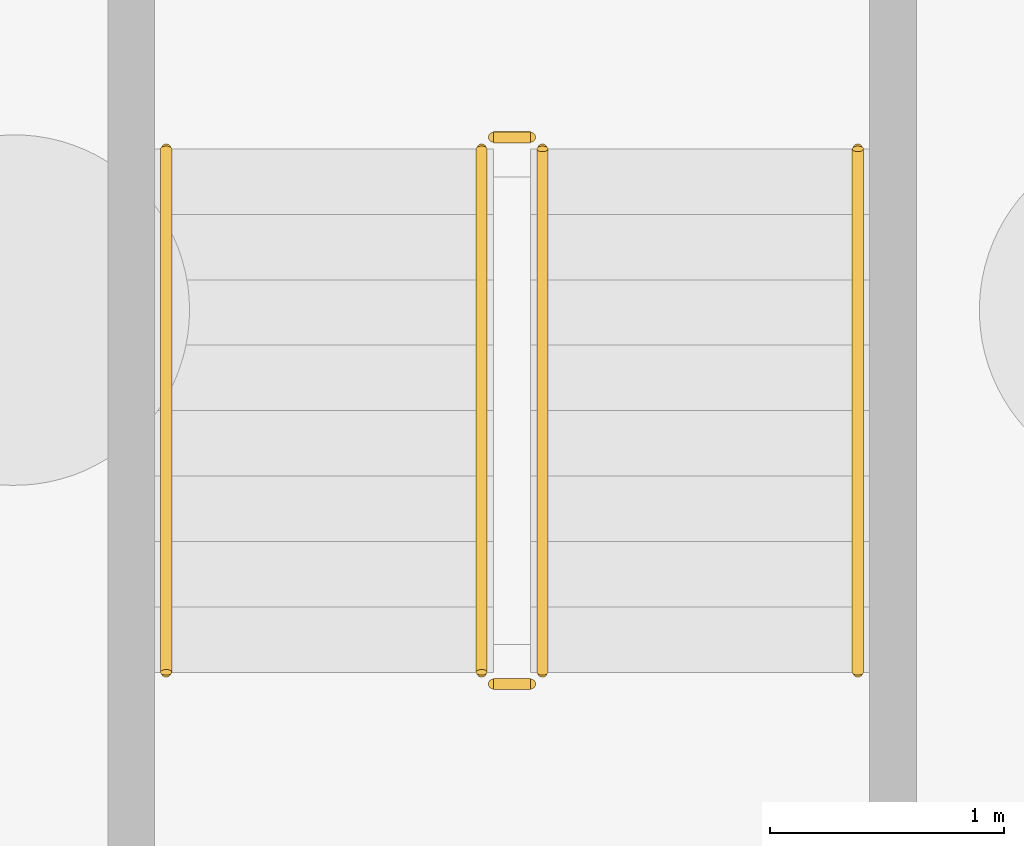
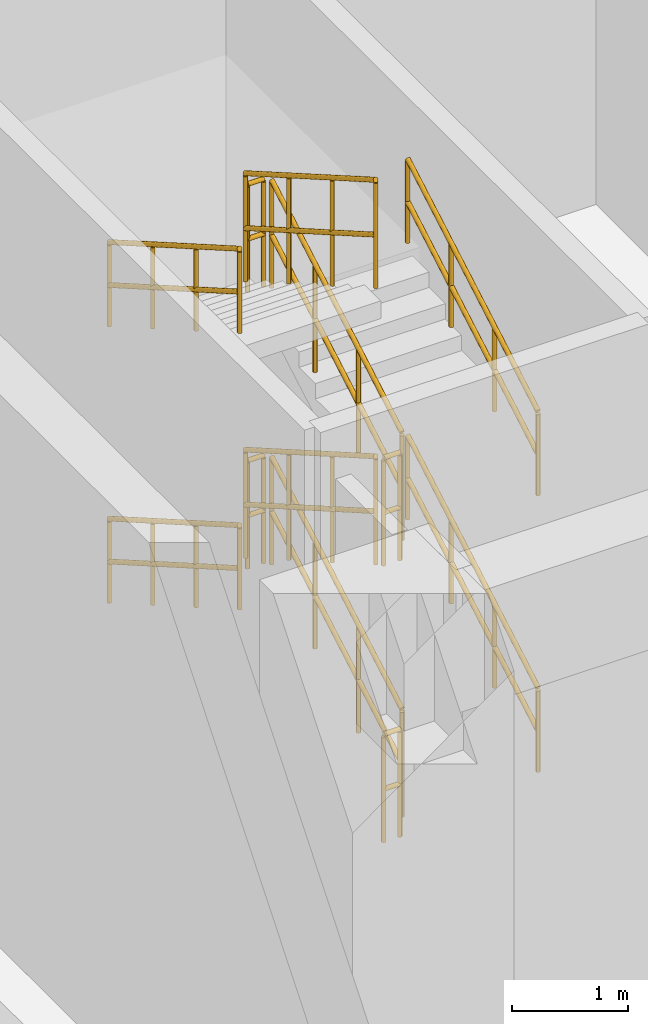
# One storey, part 13 of 15: 12 railings.
"""IFC4 building model written with IfcOpenShell, lengths in metres."""

from ifc_helpers import new_model, si_unit, direction, frame, origin, origin_2d, place, context, subcontext, project, spatial, circle, extrude, material, type_object, element, save


model = new_model("IFC4")

# Units and contexts
model_context = context("Model", 3, precision=1e-05, world=origin(), true_north=direction((0.0, 1.0)))
body_context = subcontext(model_context, "Body", "Model", "MODEL_VIEW")
ifc_project = project(units=[si_unit("LENGTHUNIT", "METRE"), si_unit("AREAUNIT", "SQUARE_METRE"), si_unit("VOLUMEUNIT", "CUBIC_METRE"), si_unit("PLANEANGLEUNIT", "RADIAN"), si_unit("MASSUNIT", "GRAM", prefix="KILO")], contexts=[model_context])

# Site, building, storey
site_placement = place(None, origin())
site = spatial("IfcSite", under=ifc_project, at=site_placement, CompositionType="ELEMENT")
building_placement = place(site_placement, origin())
building = spatial("IfcBuilding", under=site, at=building_placement, Name="Talar Marvaseh", CompositionType="ELEMENT")
storey_placement = place(building_placement, frame((0.0, 0.0, -11.60009765625)))
storey = spatial("IfcBuildingStorey", under=building, at=storey_placement, Name="B02", CompositionType="ELEMENT", Elevation=-11.60009765625)

# Railings
ifc_material = material(Name="Stainless Steel Grade 316", Category="steel")
railing_type_1 = type_object("IfcRailingType", Name="Brushed Stainless Wall Pitch Handrail 900", PredefinedType="HANDRAIL", material=ifc_material)
railing_1_placement = place(storey_placement, frame((5.2099609375, 40.25, 0.1611328125)))
element("IfcRailing", 1, at=railing_1_placement, inside=storey, type_object=railing_type_1, Name="B02 STN-ST1 stair handrail 1", PredefinedType="HANDRAIL", context=body_context, shape_type="SweptSolid", body=[
    extrude(circle(Radius=0.02392578125, at=origin_2d()), frame((0.0, 0.0, 0.8759765625), z_axis=(0.0, 0.866727653441, 0.498781690482), x_axis=(-1.0, 0.0, 0.0)), (0.0, 0.0, 1.0), 2.58447265625),
    extrude(circle(Radius=0.02392578125, at=origin_2d()), frame((0.0, 0.0, 0.42578125), z_axis=(0.0, 0.866727653441, 0.498781690482), x_axis=(-1.0, 0.0, 0.0)), (0.0, 0.0, 1.0), 2.58447265625),
    extrude(circle(Radius=0.02099609375, at=origin_2d()), origin(), (0.0, 0.0, 1.0), 0.851806640625),
    extrude(circle(Radius=0.02099609375, at=origin_2d()), frame((0.0, 0.74658203125, 0.4296875)), (0.0, 0.0, 1.0), 0.851806640625),
    extrude(circle(Radius=0.02099609375, at=origin_2d()), frame((0.0, 1.493408203125, 0.859375)), (0.0, 0.0, 1.0), 0.851806640625),
    extrude(circle(Radius=0.02099609375, at=origin_2d()), frame((0.0, 2.239990234375, 1.2890625)), (0.0, 0.0, 1.0), 0.851806640625),
])
railing_2_placement = place(storey_placement, frame((2.25, 42.489990234375, 1.611328125)))
element("IfcRailing", 2, at=railing_2_placement, inside=storey, type_object=railing_type_1, Name="B02 STN-ST1 stair handrail 2", PredefinedType="HANDRAIL", context=body_context, shape_type="SweptSolid", body=[
    extrude(circle(Radius=0.02392578125, at=origin_2d()), frame((0.0, 0.0, 0.8759765625), z_axis=(0.0, -0.866768490956, 0.498710720845), x_axis=(1.0, 0.0, 0.0)), (0.0, 0.0, 1.0), 2.584228515625),
    extrude(circle(Radius=0.02392578125, at=origin_2d()), frame((0.0, 0.0, 0.42578125), z_axis=(0.0, -0.866768490956, 0.498710720845), x_axis=(1.0, 0.0, 0.0)), (0.0, 0.0, 1.0), 2.584228515625),
    extrude(circle(Radius=0.02099609375, at=origin_2d()), origin(), (0.0, 0.0, 1.0), 0.851806640625),
    extrude(circle(Radius=0.02099609375, at=origin_2d()), frame((0.0, -0.74658203125, 0.4296875)), (0.0, 0.0, 1.0), 0.851806640625),
    extrude(circle(Radius=0.02099609375, at=origin_2d()), frame((0.0, -1.493408203125, 0.859130859375)), (0.0, 0.0, 1.0), 0.851806640625),
    extrude(circle(Radius=0.02099609375, at=origin_2d()), frame((0.0, -2.239990234375, 1.288818359375)), (0.0, 0.0, 1.0), 0.851806640625),
])
railing_3_placement = place(storey_placement, frame((5.2099609375, 40.25, 3.061279296875)))
element("IfcRailing", 3, at=railing_3_placement, inside=storey, type_object=railing_type_1, Name="B02 STN-ST1 stair handrail 3", PredefinedType="HANDRAIL", context=body_context, shape_type="SweptSolid", body=[
    extrude(circle(Radius=0.02392578125, at=origin_2d()), frame((0.0, 0.0, 0.8759765625), z_axis=(0.0, 0.866768490956, 0.498710720845), x_axis=(-1.0, 0.0, 0.0)), (0.0, 0.0, 1.0), 2.584228515625),
    extrude(circle(Radius=0.02392578125, at=origin_2d()), frame((0.0, 0.0, 0.42578125), z_axis=(0.0, 0.866768490956, 0.498710720845), x_axis=(-1.0, 0.0, 0.0)), (0.0, 0.0, 1.0), 2.584228515625),
    extrude(circle(Radius=0.02099609375, at=origin_2d()), origin(), (0.0, 0.0, 1.0), 0.851806640625),
    extrude(circle(Radius=0.02099609375, at=origin_2d()), frame((0.0, 0.74658203125, 0.4296875)), (0.0, 0.0, 1.0), 0.851806640625),
    extrude(circle(Radius=0.02099609375, at=origin_2d()), frame((0.0, 1.493408203125, 0.859130859375)), (0.0, 0.0, 1.0), 0.851806640625),
    extrude(circle(Radius=0.02099609375, at=origin_2d()), frame((0.0, 2.239990234375, 1.288818359375)), (0.0, 0.0, 1.0), 0.851806640625),
])
railing_4_placement = place(storey_placement, frame((2.25, 42.489990234375, 4.51123046875)))
element("IfcRailing", 4, at=railing_4_placement, inside=storey, type_object=railing_type_1, Name="B02 STN-ST1 stair handrail 4", PredefinedType="HANDRAIL", context=body_context, shape_type="SweptSolid", body=[
    extrude(circle(Radius=0.02392578125, at=origin_2d()), frame((0.0, 0.0, 0.8759765625), z_axis=(0.0, -0.866768490956, 0.498710720845), x_axis=(1.0, 0.0, 0.0)), (0.0, 0.0, 1.0), 2.584228515625),
    extrude(circle(Radius=0.02392578125, at=origin_2d()), frame((0.0, 0.0, 0.42578125), z_axis=(0.0, -0.866768490956, 0.498710720845), x_axis=(1.0, 0.0, 0.0)), (0.0, 0.0, 1.0), 2.584228515625),
    extrude(circle(Radius=0.02099609375, at=origin_2d()), origin(), (0.0, 0.0, 1.0), 0.851806640625),
    extrude(circle(Radius=0.02099609375, at=origin_2d()), frame((0.0, -0.74658203125, 0.4296875)), (0.0, 0.0, 1.0), 0.851806640625),
    extrude(circle(Radius=0.02099609375, at=origin_2d()), frame((0.0, -1.493408203125, 0.859130859375)), (0.0, 0.0, 1.0), 0.851806640625),
    extrude(circle(Radius=0.02099609375, at=origin_2d()), frame((0.0, -2.239990234375, 1.288818359375)), (0.0, 0.0, 1.0), 0.851806640625),
])
railing_type_2 = type_object("IfcRailingType", Name="Painted Steel Core Stair Well Guardrail 1150", PredefinedType="GUARDRAIL", material=ifc_material)
railing_5_placement = place(storey_placement, frame((3.860107421875, 40.25, 0.1611328125)))
element("IfcRailing", 5, at=railing_5_placement, inside=storey, type_object=railing_type_2, Name="B02 STN-ST1 stair guard 1", PredefinedType="GUARDRAIL", context=body_context, shape_type="SweptSolid", body=[
    extrude(circle(Radius=0.02392578125, at=origin_2d()), frame((0.0, 0.0, 1.1259765625), z_axis=(0.0, 0.866727653441, 0.498781690482), x_axis=(-1.0, 0.0, 0.0)), (0.0, 0.0, 1.0), 2.58447265625),
    extrude(circle(Radius=0.02392578125, at=origin_2d()), frame((0.0, 0.0, 0.55078125), z_axis=(0.0, 0.866727653441, 0.498781690482), x_axis=(-1.0, 0.0, 0.0)), (0.0, 0.0, 1.0), 2.58447265625),
    extrude(circle(Radius=0.02099609375, at=origin_2d()), origin(), (0.0, 0.0, 1.0), 1.101806640625),
    extrude(circle(Radius=0.02099609375, at=origin_2d()), frame((0.0, 0.74658203125, 0.4296875)), (0.0, 0.0, 1.0), 1.101806640625),
    extrude(circle(Radius=0.02099609375, at=origin_2d()), frame((0.0, 1.493408203125, 0.859375)), (0.0, 0.0, 1.0), 1.101806640625),
    extrude(circle(Radius=0.02099609375, at=origin_2d()), frame((0.0, 2.239990234375, 1.2890625)), (0.0, 0.0, 1.0), 1.101806640625),
])
railing_6_placement = place(storey_placement, frame((3.81005859375, 42.5400390625, 1.4501953125)))
element("IfcRailing", 6, at=railing_6_placement, inside=storey, type_object=railing_type_2, Name="B02 STN-ST1 stair guard 2", PredefinedType="GUARDRAIL", context=body_context, shape_type="SweptSolid", body=[
    extrude(circle(Radius=0.02392578125, at=origin_2d()), frame((0.0, 0.0, 1.1259765625), z_axis=(-1.0, 0.0, 0.0), x_axis=(0.0, -1.0, 0.0)), (0.0, 0.0, 1.0), 0.16015625),
    extrude(circle(Radius=0.02392578125, at=origin_2d()), frame((0.0, 0.0, 0.55078125), z_axis=(-1.0, 0.0, 0.0), x_axis=(0.0, -1.0, 0.0)), (0.0, 0.0, 1.0), 0.16015625),
    extrude(circle(Radius=0.02099609375, at=origin_2d()), origin(), (0.0, 0.0, 1.0), 1.101806640625),
    extrude(circle(Radius=0.02099609375, at=origin_2d()), frame((-0.16015625, 0.0, 0.0)), (0.0, 0.0, 1.0), 1.101806640625),
])
railing_7_placement = place(storey_placement, frame((3.60009765625, 42.489990234375, 1.611328125)))
element("IfcRailing", 7, at=railing_7_placement, inside=storey, type_object=railing_type_2, Name="B02 STN-ST1 stair guard 3", PredefinedType="GUARDRAIL", context=body_context, shape_type="SweptSolid", body=[
    extrude(circle(Radius=0.02392578125, at=origin_2d()), frame((0.0, 0.0, 1.1259765625), z_axis=(0.0, -0.866768490956, 0.498710720845), x_axis=(1.0, 0.0, 0.0)), (0.0, 0.0, 1.0), 2.584228515625),
    extrude(circle(Radius=0.02392578125, at=origin_2d()), frame((0.0, 0.0, 0.55078125), z_axis=(0.0, -0.866768490956, 0.498710720845), x_axis=(1.0, 0.0, 0.0)), (0.0, 0.0, 1.0), 2.584228515625),
    extrude(circle(Radius=0.02099609375, at=origin_2d()), origin(), (0.0, 0.0, 1.0), 1.101806640625),
    extrude(circle(Radius=0.02099609375, at=origin_2d()), frame((0.0, -0.74658203125, 0.4296875)), (0.0, 0.0, 1.0), 1.101806640625),
    extrude(circle(Radius=0.02099609375, at=origin_2d()), frame((0.0, -1.493408203125, 0.859130859375)), (0.0, 0.0, 1.0), 1.101806640625),
    extrude(circle(Radius=0.02099609375, at=origin_2d()), frame((0.0, -2.239990234375, 1.288818359375)), (0.0, 0.0, 1.0), 1.101806640625),
])
railing_8_placement = place(storey_placement, frame((3.81005859375, 40.199951171875, 2.900146484375)))
element("IfcRailing", 8, at=railing_8_placement, inside=storey, type_object=railing_type_2, Name="B02 STN-ST1 stair guard 4", PredefinedType="GUARDRAIL", context=body_context, shape_type="SweptSolid", body=[
    extrude(circle(Radius=0.02392578125, at=origin_2d()), frame((0.0, 0.0, 1.1259765625), z_axis=(-1.0, 0.0, 0.0), x_axis=(0.0, -1.0, 0.0)), (0.0, 0.0, 1.0), 0.16015625),
    extrude(circle(Radius=0.02392578125, at=origin_2d()), frame((0.0, 0.0, 0.55078125), z_axis=(-1.0, 0.0, 0.0), x_axis=(0.0, -1.0, 0.0)), (0.0, 0.0, 1.0), 0.16015625),
    extrude(circle(Radius=0.02099609375, at=origin_2d()), origin(), (0.0, 0.0, 1.0), 1.101806640625),
    extrude(circle(Radius=0.02099609375, at=origin_2d()), frame((-0.16015625, 0.0, 0.0)), (0.0, 0.0, 1.0), 1.101806640625),
])
railing_9_placement = place(storey_placement, frame((3.860107421875, 40.25, 3.061279296875)))
element("IfcRailing", 9, at=railing_9_placement, inside=storey, type_object=railing_type_2, Name="B02 STN-ST1 stair guard 5", PredefinedType="GUARDRAIL", context=body_context, shape_type="SweptSolid", body=[
    extrude(circle(Radius=0.02392578125, at=origin_2d()), frame((0.0, 0.0, 1.1259765625), z_axis=(0.0, 0.866768490956, 0.498710720845), x_axis=(-1.0, 0.0, 0.0)), (0.0, 0.0, 1.0), 2.584228515625),
    extrude(circle(Radius=0.02392578125, at=origin_2d()), frame((0.0, 0.0, 0.55078125), z_axis=(0.0, 0.866768490956, 0.498710720845), x_axis=(-1.0, 0.0, 0.0)), (0.0, 0.0, 1.0), 2.584228515625),
    extrude(circle(Radius=0.02099609375, at=origin_2d()), origin(), (0.0, 0.0, 1.0), 1.101806640625),
    extrude(circle(Radius=0.02099609375, at=origin_2d()), frame((0.0, 0.74658203125, 0.4296875)), (0.0, 0.0, 1.0), 1.101806640625),
    extrude(circle(Radius=0.02099609375, at=origin_2d()), frame((0.0, 1.493408203125, 0.859130859375)), (0.0, 0.0, 1.0), 1.101806640625),
    extrude(circle(Radius=0.02099609375, at=origin_2d()), frame((0.0, 2.239990234375, 1.288818359375)), (0.0, 0.0, 1.0), 1.101806640625),
])
railing_10_placement = place(storey_placement, frame((3.81005859375, 42.5400390625, 4.35009765625)))
element("IfcRailing", 10, at=railing_10_placement, inside=storey, type_object=railing_type_2, Name="B02 STN-ST1 stair guard 6", PredefinedType="GUARDRAIL", context=body_context, shape_type="SweptSolid", body=[
    extrude(circle(Radius=0.02392578125, at=origin_2d()), frame((0.0, 0.0, 1.1259765625), z_axis=(-1.0, 0.0, 0.0), x_axis=(0.0, -1.0, 0.0)), (0.0, 0.0, 1.0), 0.16015625),
    extrude(circle(Radius=0.02392578125, at=origin_2d()), frame((0.0, 0.0, 0.55078125), z_axis=(-1.0, 0.0, 0.0), x_axis=(0.0, -1.0, 0.0)), (0.0, 0.0, 1.0), 0.16015625),
    extrude(circle(Radius=0.02099609375, at=origin_2d()), origin(), (0.0, 0.0, 1.0), 1.101806640625),
    extrude(circle(Radius=0.02099609375, at=origin_2d()), frame((-0.16015625, 0.0, 0.0)), (0.0, 0.0, 1.0), 1.101806640625),
])
railing_11_placement = place(storey_placement, frame((3.60009765625, 42.489990234375, 4.51123046875)))
element("IfcRailing", 11, at=railing_11_placement, inside=storey, type_object=railing_type_2, Name="B02 STN-ST1 stair guard 7", PredefinedType="GUARDRAIL", context=body_context, shape_type="SweptSolid", body=[
    extrude(circle(Radius=0.02392578125, at=origin_2d()), frame((0.0, 0.0, 1.1259765625), z_axis=(0.0, -0.866768490956, 0.498710720845), x_axis=(1.0, 0.0, 0.0)), (0.0, 0.0, 1.0), 2.584228515625),
    extrude(circle(Radius=0.02392578125, at=origin_2d()), frame((0.0, 0.0, 0.55078125), z_axis=(0.0, -0.866768490956, 0.498710720845), x_axis=(1.0, 0.0, 0.0)), (0.0, 0.0, 1.0), 2.584228515625),
    extrude(circle(Radius=0.02099609375, at=origin_2d()), origin(), (0.0, 0.0, 1.0), 1.101806640625),
    extrude(circle(Radius=0.02099609375, at=origin_2d()), frame((0.0, -0.74658203125, 0.4296875)), (0.0, 0.0, 1.0), 1.101806640625),
    extrude(circle(Radius=0.02099609375, at=origin_2d()), frame((0.0, -1.493408203125, 0.859130859375)), (0.0, 0.0, 1.0), 1.101806640625),
    extrude(circle(Radius=0.02099609375, at=origin_2d()), frame((0.0, -2.239990234375, 1.288818359375)), (0.0, 0.0, 1.0), 1.101806640625),
])
railing_12_placement = place(storey_placement, frame((3.81005859375, 40.199951171875, 0.0)))
element("IfcRailing", 12, at=railing_12_placement, inside=storey, type_object=railing_type_2, Name="B02 STN-ST1 stair guard 8", PredefinedType="GUARDRAIL", context=body_context, shape_type="SweptSolid", body=[
    extrude(circle(Radius=0.02392578125, at=origin_2d()), frame((0.0, 0.0, 1.1259765625), z_axis=(-1.0, 0.0, 0.0), x_axis=(0.0, -1.0, 0.0)), (0.0, 0.0, 1.0), 0.16015625),
    extrude(circle(Radius=0.02392578125, at=origin_2d()), frame((0.0, 0.0, 0.55078125), z_axis=(-1.0, 0.0, 0.0), x_axis=(0.0, -1.0, 0.0)), (0.0, 0.0, 1.0), 0.16015625),
    extrude(circle(Radius=0.02099609375, at=origin_2d()), origin(), (0.0, 0.0, 1.0), 1.101806640625),
    extrude(circle(Radius=0.02099609375, at=origin_2d()), frame((-0.16015625, 0.0, 0.0)), (0.0, 0.0, 1.0), 1.101806640625),
])

save(model, "model.ifc")
